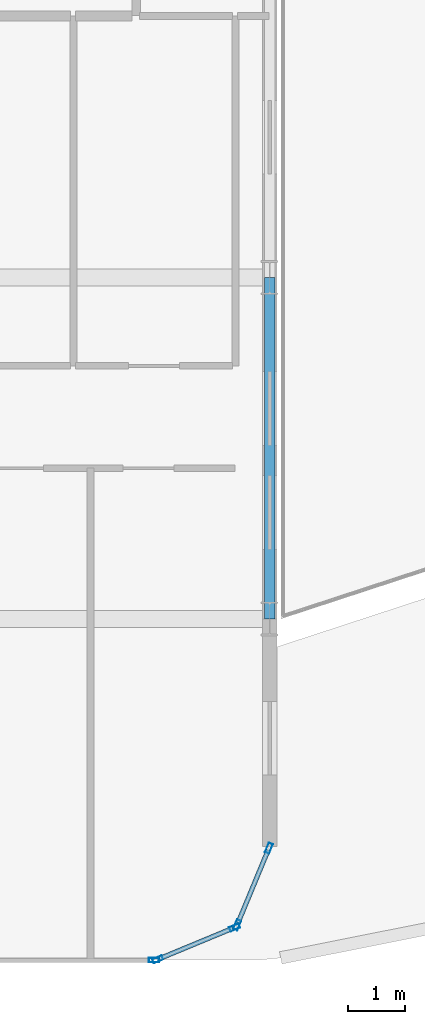
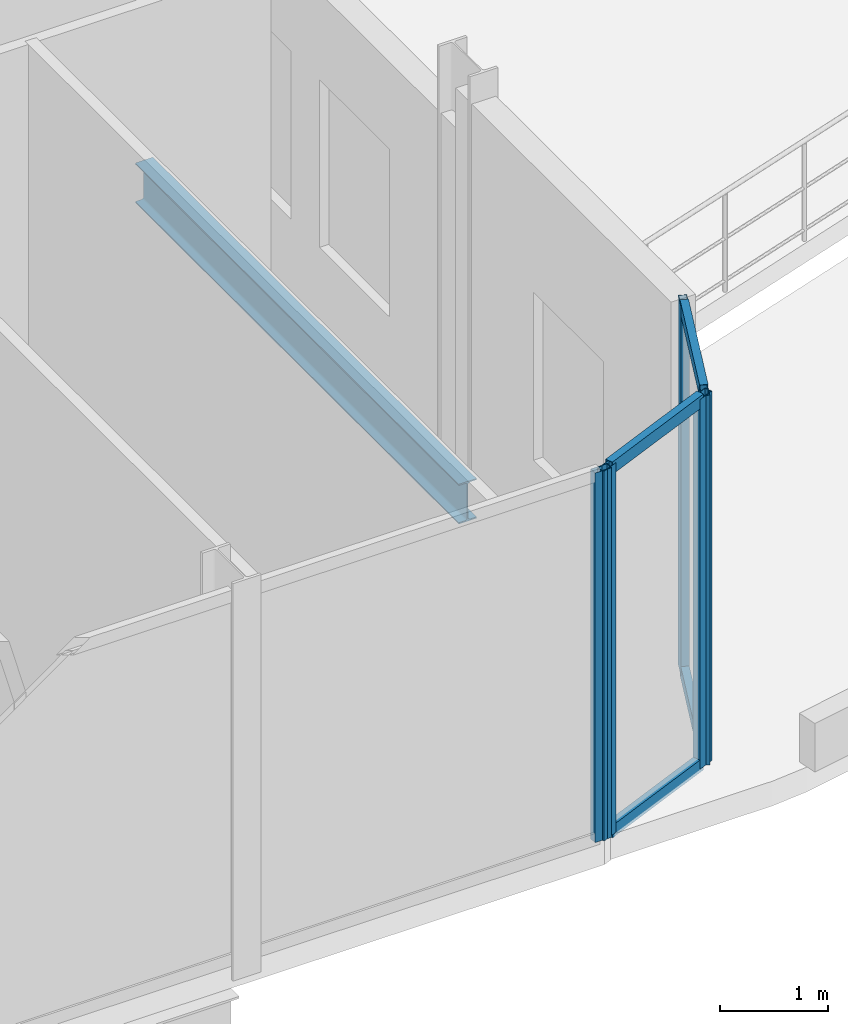
# One storey, part 10 of 30: 9 members, 1 beam, 3 elements without a shape of their own.
"""IFC4 building model written with IfcOpenShell, lengths in metres."""

from ifc_helpers import new_model, si_unit, direction, frame, origin, origin_2d, place, context, subcontext, project, spatial, hollow_rectangle, i_section, extrude, material, layer, layer_set, material_profile, profile_set, type_object, element, aggregate, save


model = new_model("IFC4")

# Units and contexts
model_context = context("Model", 3, precision=1e-05, world=origin(), true_north=direction((0.0, 1.0)))
body_context = subcontext(model_context, "Body", "Model", "MODEL_VIEW")
ifc_project = project(units=[si_unit("LENGTHUNIT", "METRE"), si_unit("AREAUNIT", "SQUARE_METRE"), si_unit("VOLUMEUNIT", "CUBIC_METRE"), si_unit("PLANEANGLEUNIT", "RADIAN"), si_unit("MASSUNIT", "GRAM", prefix="KILO")], contexts=[model_context])

# Site, building, storey
site_placement = place(None, origin())
site = spatial("IfcSite", under=ifc_project, at=site_placement, CompositionType="ELEMENT")
building_placement = place(site_placement, origin())
building = spatial("IfcBuilding", under=site, at=building_placement, Name="Keshet Zoharim Tower", CompositionType="ELEMENT")
storey_placement = place(building_placement, frame((0.0, 0.0, 86.39990234375)))
storey = spatial("IfcBuildingStorey", under=building, at=storey_placement, Name="L20", CompositionType="ELEMENT", Elevation=86.39990234375)

# Beam
ifc_material_1 = material(Name="Steel S355", Category="steel")
ifc_material_profile_1 = material_profile(ifc_material_1, i_section(OverallWidth=0.18994140625, OverallDepth=0.449951171875, WebThickness=0.009521484375, FlangeThickness=0.0146484375, FilletRadius=0.02099609375, at=origin_2d()), Name="IPE450")
ifc_profile_set_1 = profile_set([ifc_material_profile_1], Name="Steel S355")
beam_type = type_object("IfcBeamType", Name="BM-PRI-IP450", PredefinedType="BEAM", material=ifc_profile_set_1)
beam_placement = place(storey_placement, frame((57.0, 6.699951171875, -0.539794921875), z_axis=(0.0, 1.0, 0.0), x_axis=(-1.0, 0.0, 0.0)))
element("IfcBeam", 1, at=beam_placement, inside=storey, type_object=beam_type, Name="L20 Primary Girder Y-013", PredefinedType="BEAM", context=body_context, shape_type="SweptSolid", body=[
    extrude(i_section(OverallWidth=0.18994140625, OverallDepth=0.449951171875, WebThickness=0.009521484375, FlangeThickness=0.0146484375, FilletRadius=0.02099609375, at=origin_2d()), origin(), (0.0, 0.0, 1.0), 6.0),
])

# Curtain wall, members
ifc_material_2 = material(Name="Aluminium 6063-T6", Category="aluminium")
ifc_layer = layer(ifc_material_2, 0.159912109375)
ifc_layer_set = layer_set([ifc_layer], Name="Aluminium 6063-T6")
curtain_wall_type = type_object("IfcCurtainWallType", Name="CW-SYS-03", PredefinedType="NOTDEFINED", material=ifc_layer_set)
curtain_wall_1_placement = place(storey_placement, origin())
curtain_wall_1 = element("IfcCurtainWall", 2, at=curtain_wall_1_placement, inside=storey, type_object=curtain_wall_type, Name="L20 Unitised Curtain Wall 01", PredefinedType="NOTDEFINED")
ifc_material_profile_2 = material_profile(ifc_material_2, hollow_rectangle(XDim=0.080078125, YDim=0.179931640625, WallThickness=0.00439453125, at=origin_2d()), Name="MUL-80x180")
ifc_profile_set_2 = profile_set([ifc_material_profile_2], Name="Aluminium 6063-T6")
member_type_1 = type_object("IfcMemberType", Name="CWM-M18", PredefinedType="MULLION", material=ifc_profile_set_2)
member_1_placement = place(storey_placement, frame((56.986572265625, 2.667724609375, 0.0), z_axis=(0.0, 0.0, 1.0), x_axis=(0.92380975372, -0.382851849847, 0.0)))
member_1 = element("IfcMember", 3, at=member_1_placement, type_object=member_type_1, Name="CW-03 mullion 1", PredefinedType="MULLION", context=body_context, shape_type="SweptSolid", body=[
    extrude(hollow_rectangle(XDim=0.080078125, YDim=0.179931640625, WallThickness=0.00439453125, at=origin_2d()), origin(), (0.0, 0.0, 1.0), 4.18505859375),
])
member_2_placement = place(storey_placement, frame((56.427490234375, 1.318359375, 0.0), z_axis=(0.0, 0.0, 1.0), x_axis=(0.92380975372, -0.382851849847, 0.0)))
member_2 = element("IfcMember", 4, at=member_2_placement, type_object=member_type_1, Name="CW-03 mullion 2", PredefinedType="MULLION", context=body_context, shape_type="SweptSolid", body=[
    extrude(hollow_rectangle(XDim=0.080078125, YDim=0.179931640625, WallThickness=0.00439453125, at=origin_2d()), origin(), (0.0, 0.0, 1.0), 4.18505859375),
])

curtain_wall_2_placement = place(storey_placement, origin())
curtain_wall_2 = element("IfcCurtainWall", 5, at=curtain_wall_2_placement, inside=storey, type_object=curtain_wall_type, Name="L20 Unitised Curtain Wall 02", PredefinedType="NOTDEFINED")
member_3_placement = place(storey_placement, frame((56.381591796875, 1.272705078125, 0.0), z_axis=(0.0, 0.0, 1.0), x_axis=(0.382851849847, -0.92380975372, 0.0)))
member_3 = element("IfcMember", 6, at=member_3_placement, type_object=member_type_1, Name="CW-03 mullion 1", PredefinedType="MULLION", context=body_context, shape_type="SweptSolid", body=[
    extrude(hollow_rectangle(XDim=0.080078125, YDim=0.179931640625, WallThickness=0.00439453125, at=origin_2d()), origin(), (0.0, 0.0, 1.0), 4.18505859375),
])
member_4_placement = place(storey_placement, frame((55.0322265625, 0.71337890625, 0.0), z_axis=(0.0, 0.0, 1.0), x_axis=(0.382851849847, -0.92380975372, 0.0)))
member_4 = element("IfcMember", 7, at=member_4_placement, type_object=member_type_1, Name="CW-03 mullion 2", PredefinedType="MULLION", context=body_context, shape_type="SweptSolid", body=[
    extrude(hollow_rectangle(XDim=0.080078125, YDim=0.179931640625, WallThickness=0.00439453125, at=origin_2d()), origin(), (0.0, 0.0, 1.0), 4.18505859375),
])

# Curtain wall, member
curtain_wall_3_placement = place(storey_placement, origin())
curtain_wall_3 = element("IfcCurtainWall", 8, at=curtain_wall_3_placement, inside=storey, type_object=curtain_wall_type, Name="L20 Unitised Curtain Wall 03", PredefinedType="NOTDEFINED")
member_5_placement = place(storey_placement, frame((54.965087890625, 0.699951171875, 0.0), z_axis=(0.0, 0.0, 1.0), x_axis=(0.0, -1.0, 0.0)))
member_5 = element("IfcMember", 9, at=member_5_placement, type_object=member_type_1, Name="CW-03 mullion 1", PredefinedType="MULLION", context=body_context, shape_type="SweptSolid", body=[
    extrude(hollow_rectangle(XDim=0.080078125, YDim=0.179931640625, WallThickness=0.00439453125, at=origin_2d()), origin(), (0.0, 0.0, 1.0), 4.18505859375),
])
aggregate(curtain_wall_3, [member_5])

# Member
ifc_material_profile_3 = material_profile(ifc_material_2, hollow_rectangle(XDim=0.080078125, YDim=0.139892578125, WallThickness=0.00390625, at=origin_2d()), Name="TRN-80x140")
ifc_profile_set_3 = profile_set([ifc_material_profile_3], Name="Aluminium 6063-T6")
member_type_2 = type_object("IfcMemberType", Name="CWT-T14", PredefinedType="USERDEFINED", material=ifc_profile_set_3)
member_6_placement = place(storey_placement, frame((56.97314453125, 2.63525390625, 0.03515625), z_axis=(-0.382744609247, -0.923854189844, 0.0), x_axis=(0.923854189844, -0.382744609247, 0.0)))
member_6 = element("IfcMember", 10, at=member_6_placement, type_object=member_type_2, Name="CW-03 transom 1.1", ObjectType="TRANSOM", PredefinedType="USERDEFINED", context=body_context, shape_type="SweptSolid", body=[
    extrude(hollow_rectangle(XDim=0.080078125, YDim=0.139892578125, WallThickness=0.00390625, at=origin_2d()), origin(), (0.0, 0.0, 1.0), 1.390625),
])

member_7_placement = place(storey_placement, frame((56.97314453125, 2.63525390625, 4.150146484375), z_axis=(-0.382744609247, -0.923854189844, 0.0), x_axis=(0.923854189844, -0.382744609247, 0.0)))
member_7 = element("IfcMember", 11, at=member_7_placement, type_object=member_type_2, Name="CW-03 transom 1.2", ObjectType="TRANSOM", PredefinedType="USERDEFINED", context=body_context, shape_type="SweptSolid", body=[
    extrude(hollow_rectangle(XDim=0.080078125, YDim=0.139892578125, WallThickness=0.00390625, at=origin_2d()), origin(), (0.0, 0.0, 1.0), 1.390625),
])

aggregate(curtain_wall_1, [member_1, member_2, member_6, member_7])

member_8_placement = place(storey_placement, frame((56.349365234375, 1.25927734375, 0.03515625), z_axis=(-0.92379209995, -0.382894445076, 0.0), x_axis=(0.382894445076, -0.92379209995, 0.0)))
member_8 = element("IfcMember", 12, at=member_8_placement, type_object=member_type_2, Name="CW-03 transom 1.1", ObjectType="TRANSOM", PredefinedType="USERDEFINED", context=body_context, shape_type="SweptSolid", body=[
    extrude(hollow_rectangle(XDim=0.080078125, YDim=0.139892578125, WallThickness=0.00390625, at=origin_2d()), origin(), (0.0, 0.0, 1.0), 1.390625),
])

member_9_placement = place(storey_placement, frame((56.349365234375, 1.25927734375, 4.150146484375), z_axis=(-0.92379209995, -0.382894445076, 0.0), x_axis=(0.382894445076, -0.92379209995, 0.0)))
member_9 = element("IfcMember", 13, at=member_9_placement, type_object=member_type_2, Name="CW-03 transom 1.2", ObjectType="TRANSOM", PredefinedType="USERDEFINED", context=body_context, shape_type="SweptSolid", body=[
    extrude(hollow_rectangle(XDim=0.080078125, YDim=0.139892578125, WallThickness=0.00390625, at=origin_2d()), origin(), (0.0, 0.0, 1.0), 1.390625),
])

aggregate(curtain_wall_2, [member_3, member_4, member_8, member_9])

save(model, "model.ifc")
